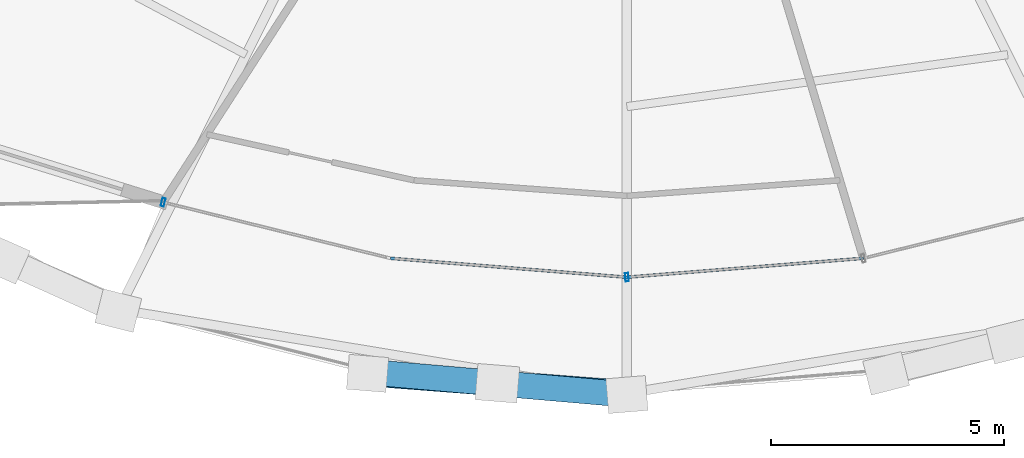
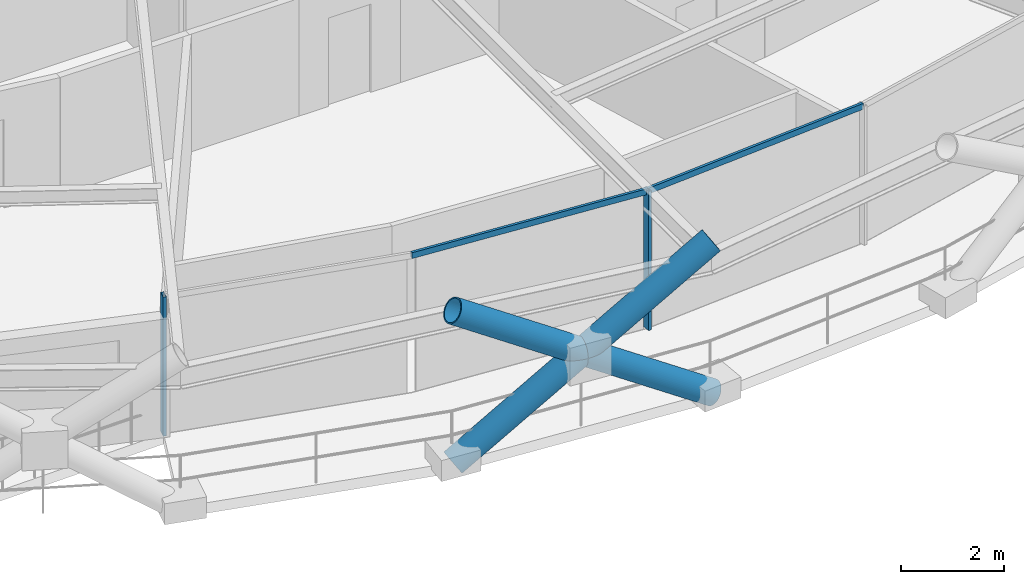
# One storey, part 2 of 20: 7 members, 1 element without a shape of its own.
"""IFC4 building model written with IfcOpenShell, lengths in metres."""

from ifc_helpers import new_model, si_unit, direction, frame, origin, origin_2d, place, context, subcontext, project, spatial, hollow_rectangle, hollow_circle, extrude, material, layer, layer_set, material_profile, profile_set, type_object, element, aggregate, save


model = new_model("IFC4")

# Units and contexts
model_context = context("Model", 3, precision=1e-05, world=origin(), true_north=direction((0.0, 1.0)))
body_context = subcontext(model_context, "Body", "Model", "MODEL_VIEW")
ifc_project = project(units=[si_unit("LENGTHUNIT", "METRE"), si_unit("AREAUNIT", "SQUARE_METRE"), si_unit("VOLUMEUNIT", "CUBIC_METRE"), si_unit("PLANEANGLEUNIT", "RADIAN"), si_unit("MASSUNIT", "GRAM", prefix="KILO")], contexts=[model_context])

# Site, building, storey
site_placement = place(None, origin())
site = spatial("IfcSite", under=ifc_project, at=site_placement, CompositionType="ELEMENT")
building_placement = place(site_placement, origin())
building = spatial("IfcBuilding", under=site, at=building_placement, Name="Veldorina Hangang Commons", CompositionType="ELEMENT")
storey_placement = place(building_placement, frame((0.0, 0.0, 131.60009765625)))
storey = spatial("IfcBuildingStorey", under=building, at=storey_placement, Name="L33", CompositionType="ELEMENT", Elevation=131.60009765625)

# Curtain wall, members
ifc_material_1 = material(Name="Glass Low-E Triple IGU", Category="glass")
ifc_layer = layer(ifc_material_1, 0.179931640625)
ifc_layer_set = layer_set([ifc_layer], Name="Glass Low-E Triple IGU")
curtain_wall_type = type_object("IfcCurtainWallType", Name="CW-SYS-Z2", PredefinedType="NOTDEFINED", material=ifc_layer_set)
curtain_wall_placement = place(storey_placement, origin())
curtain_wall = element("IfcCurtainWall", 1, at=curtain_wall_placement, inside=storey, type_object=curtain_wall_type, Name="L33 unitised curtain wall CW-L33-R1", PredefinedType="NOTDEFINED")
ifc_material_2 = material(Name="Aluminium Anodized AA6063-T6", Category="aluminium")
ifc_material_profile_1 = material_profile(ifc_material_2, hollow_rectangle(XDim=0.070068359375, YDim=0.179931640625, WallThickness=0.00390625, at=origin_2d()), Name="ALU-RHS-180x70x4")
ifc_profile_set_1 = profile_set([ifc_material_profile_1], Name="Aluminium Anodized AA6063-T6")
member_type_1 = type_object("IfcMemberType", Name="CW-MUL-180", PredefinedType="MULLION", material=ifc_profile_set_1)
member_1_placement = place(storey_placement, frame((22.041259765625, 4.4501953125, 0.0), z_axis=(0.0, 0.0, 1.0), x_axis=(0.970896497312, -0.239499460349, 0.0)))
member_1 = element("IfcMember", 2, at=member_1_placement, type_object=member_type_1, Name="CW-L33-R1 vertical mullion 1", PredefinedType="MULLION", context=body_context, shape_type="SweptSolid", body=[
    extrude(hollow_rectangle(XDim=0.070068359375, YDim=0.179931640625, WallThickness=0.00390625, at=origin_2d()), origin(), (0.0, 0.0, 1.0), 3.309814453125),
])
member_2_placement = place(storey_placement, frame((32.0, 2.83935546875, 0.0), z_axis=(0.0, 0.0, 1.0), x_axis=(0.996808205945, 0.07983358041, 0.0)))
member_2 = element("IfcMember", 3, at=member_2_placement, type_object=member_type_1, Name="CW-L33-R1 vertical mullion 2", PredefinedType="MULLION", context=body_context, shape_type="SweptSolid", body=[
    extrude(hollow_rectangle(XDim=0.070068359375, YDim=0.179931640625, WallThickness=0.00390625, at=origin_2d()), origin(), (0.0, 0.0, 1.0), 3.309814453125),
])
ifc_material_profile_2 = material_profile(ifc_material_2, hollow_rectangle(XDim=0.06005859375, YDim=0.139892578125, WallThickness=0.00341796875, at=origin_2d()), Name="ALU-RHS-140x60x3.5")
ifc_profile_set_2 = profile_set([ifc_material_profile_2], Name="Aluminium Anodized AA6063-T6")
member_type_2 = type_object("IfcMemberType", Name="CW-TRN-140", PredefinedType="USERDEFINED", material=ifc_profile_set_2)
member_3_placement = place(storey_placement, frame((26.923095703125, 3.24609375, 3.27001953125), z_axis=(0.99680612701, -0.079859533907, 0.0), x_axis=(0.079859533907, 0.99680612701, 0.0)))
member_3 = element("IfcMember", 4, at=member_3_placement, type_object=member_type_2, Name="CW-L33-R1 facet 2 transom 1", ObjectType="TRANSOM", PredefinedType="USERDEFINED", context=body_context, shape_type="SweptSolid", body=[
    extrude(hollow_rectangle(XDim=0.06005859375, YDim=0.139892578125, WallThickness=0.00341796875, at=origin_2d()), origin(), (0.0, 0.0, 1.0), 5.09326171875),
])
member_4_placement = place(storey_placement, frame((32.0, 2.83935546875, 3.27001953125), z_axis=(0.99680612701, 0.079859533907, 0.0), x_axis=(-0.079859533907, 0.99680612701, 0.0)))
member_4 = element("IfcMember", 5, at=member_4_placement, type_object=member_type_2, Name="CW-L33-R1 facet 3 transom 1", ObjectType="TRANSOM", PredefinedType="USERDEFINED", context=body_context, shape_type="SweptSolid", body=[
    extrude(hollow_rectangle(XDim=0.06005859375, YDim=0.139892578125, WallThickness=0.00341796875, at=origin_2d()), origin(), (0.0, 0.0, 1.0), 5.09326171875),
])
aggregate(curtain_wall, [member_1, member_2, member_3, member_4])

# Members
ifc_material_3 = material(Name="Steel SM420-TMC", Category="steel")
ifc_material_profile_3 = material_profile(ifc_material_3, hollow_circle(Radius=0.27490234375, WallThickness=0.028076171875, at=origin_2d()), Name="CHS-550x28")
ifc_profile_set_3 = profile_set([ifc_material_profile_3], Name="Steel SM420-TMC")
member_type_3 = type_object("IfcMemberType", Name="DG-CHS550", PredefinedType="BRACE", material=ifc_profile_set_3)
member_5_placement = place(storey_placement, frame((26.431396484375, 0.7744140625, 0.0), z_axis=(0.838079181041, -0.064006924169, 0.541780767436), x_axis=(0.076151592367, 0.997096251613, 0.0)))
element("IfcMember", 6, at=member_5_placement, inside=storey, type_object=member_type_3, Name="L33 continuous perimeter diagrid brace 23", PredefinedType="BRACE", context=body_context, shape_type="SweptSolid", body=[
    extrude(hollow_circle(Radius=0.27490234375, WallThickness=0.028076171875, at=origin_2d()), origin(), (0.0, 0.0, 1.0), 6.64453125),
])
member_6_placement = place(storey_placement, frame((32.0, 0.3193359375, 0.0), z_axis=(-0.837199712187, 0.072876633423, 0.542019961085), x_axis=(-0.086720151783, -0.996232711406, 0.0)))
element("IfcMember", 7, at=member_6_placement, inside=storey, type_object=member_type_3, Name="L33 split perimeter diagrid lower brace 24", PredefinedType="BRACE", context=body_context, shape_type="SweptSolid", body=[
    extrude(hollow_circle(Radius=0.27490234375, WallThickness=0.028076171875, at=origin_2d()), origin(), (0.0, 0.0, 1.0), 3.3232421875),
])
member_7_placement = place(storey_placement, frame((29.2177734375, 0.5615234375, 1.80126953125), z_axis=(-0.837197352735, 0.072911730078, 0.542018885456), x_axis=(-0.086761843711, -0.996229081324, 0.0)))
element("IfcMember", 8, at=member_7_placement, inside=storey, type_object=member_type_3, Name="L33 split perimeter diagrid upper brace 24", PredefinedType="BRACE", context=body_context, shape_type="SweptSolid", body=[
    extrude(hollow_circle(Radius=0.27490234375, WallThickness=0.028076171875, at=origin_2d()), origin(), (0.0, 0.0, 1.0), 3.318359375),
])

save(model, "model.ifc")
